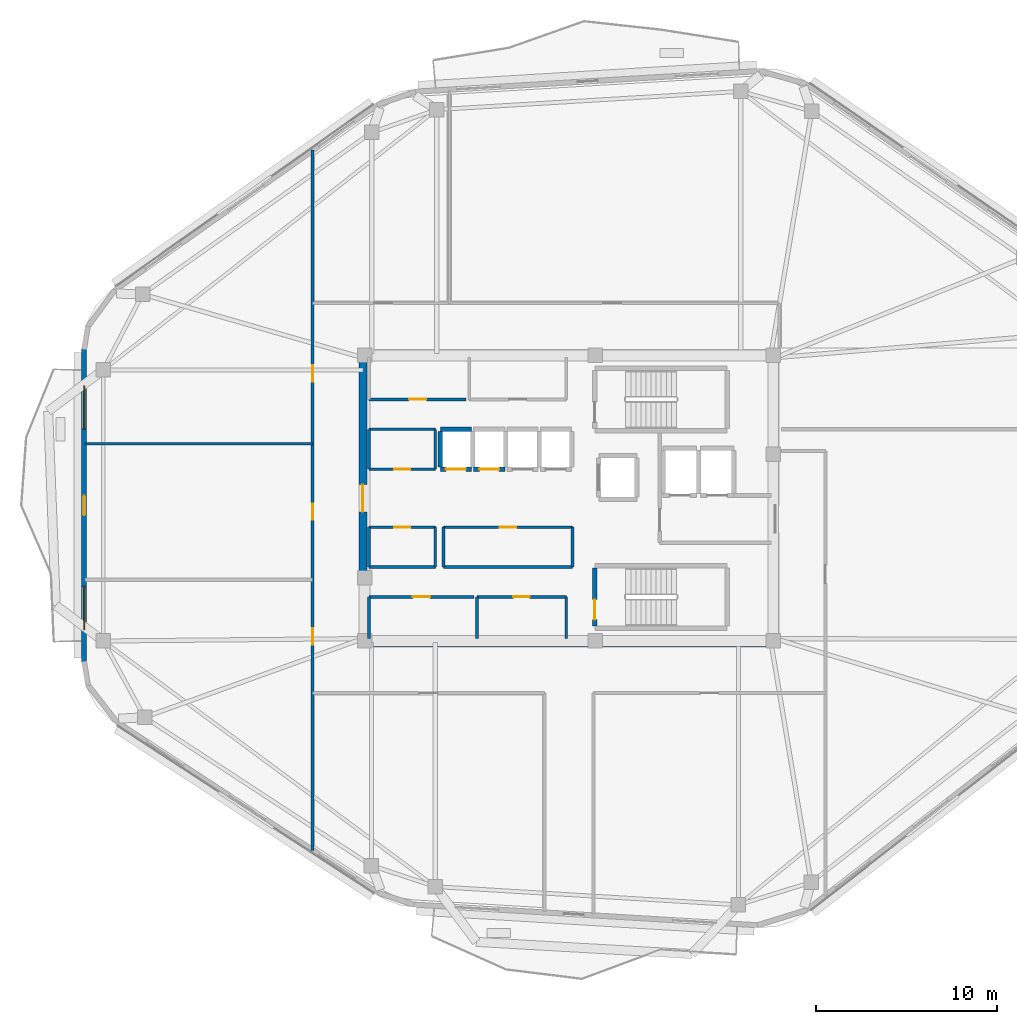
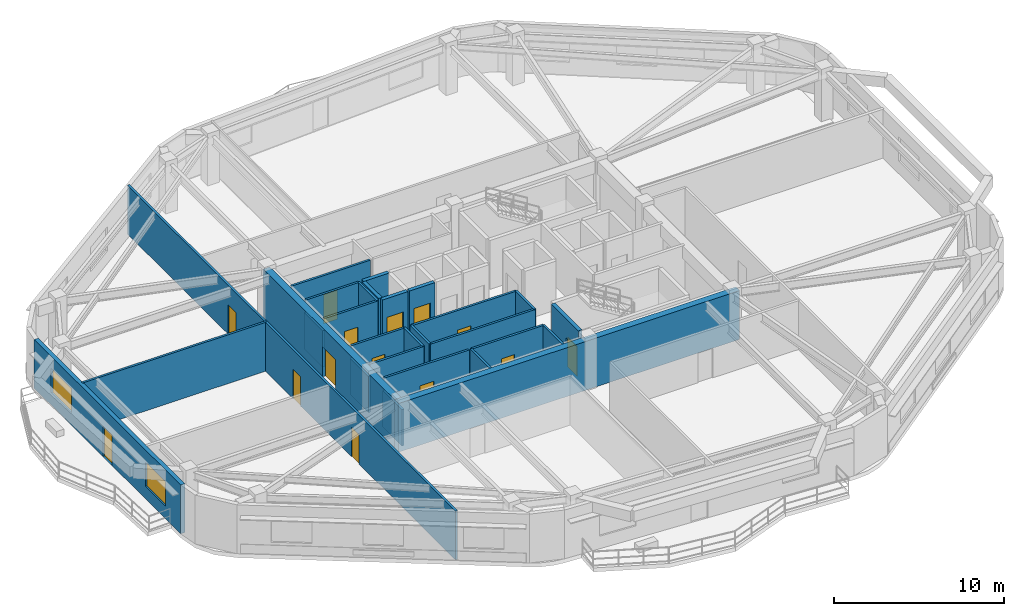
# One storey, part 3 of 9: 28 walls, 14 doors, 2 windows, 16 openings.
"""IFC4 building model written with IfcOpenShell, lengths in metres."""

from ifc_helpers import new_model, si_unit, direction, frame, frame_2d, origin, place, context, subcontext, project, spatial, rectangle, extrude, material, layer, layer_set, type_object, element, fill, save


model = new_model("IFC4")

# Units and contexts
model_context = context("Model", 3, precision=1e-05, world=origin(), true_north=direction((0.0, 1.0)))
body_context = subcontext(model_context, "Body", "Model", "MODEL_VIEW")
ifc_project = project(units=[si_unit("LENGTHUNIT", "METRE"), si_unit("AREAUNIT", "SQUARE_METRE"), si_unit("VOLUMEUNIT", "CUBIC_METRE"), si_unit("PLANEANGLEUNIT", "RADIAN"), si_unit("MASSUNIT", "GRAM", prefix="KILO")], contexts=[model_context])

# Site, building, storey
site_placement = place(None, origin())
site = spatial("IfcSite", under=ifc_project, at=site_placement, CompositionType="ELEMENT")
building_placement = place(site_placement, origin())
building = spatial("IfcBuilding", under=site, at=building_placement, Name="Zulverin Broadcast Headquarters", CompositionType="ELEMENT")
storey_placement = place(building_placement, frame((0.0, 0.0, 259.199951171875)))
storey = spatial("IfcBuildingStorey", under=building, at=storey_placement, Name="L66", CompositionType="ELEMENT", Elevation=259.199951171875)

# Wall
ifc_material_1 = material(Name="Concrete C50/60", Category="concrete")
ifc_layer_1 = layer(ifc_material_1, 0.449951171875, Name="Concrete C50/60", Category="concrete")
ifc_layer_set_1 = layer_set([ifc_layer_1], Name="Concrete C50/60")
wall_type_1 = type_object("IfcWallType", Name="WL-CORE-450", PredefinedType="SHEAR", material=ifc_layer_set_1)
wall_1_placement = place(storey_placement, frame((25.39990234375, 17.22509765625, 0.0), z_axis=(0.0, 0.0, 1.0), x_axis=(1.0, 0.0, 0.0)))
element("IfcWall", 1, at=wall_1_placement, inside=storey, type_object=wall_type_1, Name="L66 Core South Shear Wall", PredefinedType="SHEAR", context=body_context, shape_type="SweptSolid", body=[
    extrude(rectangle(XDim=23.2001953125, YDim=0.449951171875, at=frame_2d((11.60009765625, 0.0))), origin(), (0.0, 0.0, 1.0), 3.510009765625),
])

# Wall, opening, door
wall_2_placement = place(storey_placement, frame((25.625, 17.449951171875, 0.0), z_axis=(0.0, 0.0, 1.0), x_axis=(0.0, 1.0, 0.0)))
wall_2 = element("IfcWall", 2, at=wall_2_placement, inside=storey, type_object=wall_type_1, Name="L66 Core West Shear Wall", PredefinedType="SHEAR", context=body_context, shape_type="SweptSolid", body=[
    extrude(rectangle(XDim=15.5, YDim=0.449951171875, at=frame_2d((7.75, 0.0))), origin(), (0.0, 0.0, 1.0), 3.510009765625),
])
opening_1_placement = place(wall_2_placement, frame((7.0, 0.0, 0.0)))
opening_1 = element("IfcOpeningElement", 3, at=opening_1_placement, cuts=wall_2, Name="Opening D-L66-CW1", PredefinedType="OPENING", context=body_context, shape_type="SweptSolid", body=[
    extrude(rectangle(XDim=1.5, YDim=2.14990234375, at=frame_2d((0.75, 1.074951171875))), frame((0.0, 0.23486328125, 0.0), z_axis=(0.0, -1.0, 0.0), x_axis=(1.0, 0.0, 0.0)), (0.0, 0.0, 1.0), 0.469970703125),
])
ifc_material_2 = material(Name="Fire-rated glazed steel frame", Category="steel")
door_type_1 = type_object("IfcDoorType", Name="DR-COR-1500", OperationType="DOUBLE_DOOR_SINGLE_SWING", PredefinedType="DOOR", material=ifc_material_2)
door_1_placement = place(opening_1_placement, origin())
door_1 = element("IfcDoor", 4, at=door_1_placement, inside=storey, type_object=door_type_1, Name="L66 Central Lift Lobby West Portal Door", OperationType="DOUBLE_DOOR_SINGLE_SWING", OverallHeight=2.14990234375, OverallWidth=1.5, PredefinedType="DOOR", context=body_context, shape_type="SweptSolid", body=[
    extrude(rectangle(XDim=1.5, YDim=2.14990234375, at=frame_2d((0.75, 1.074951171875))), frame((0.0, 0.02490234375, 0.0), z_axis=(0.0, -1.0, 0.0), x_axis=(1.0, 0.0, 0.0)), (0.0, 0.0, 1.0), 0.050048828125),
])
fill(opening_1, door_1)

# Wall, openings, door, windows
ifc_material_3 = material(Name="Insulated pale-metal clad concrete spandrel C40/50", Category="concrete")
ifc_layer_2 = layer(ifc_material_3, 0.280029296875, Name="Insulated pale-metal clad concrete spandrel C40/50", Category="concrete")
ifc_layer_set_2 = layer_set([ifc_layer_2], Name="Insulated pale-metal clad concrete spandrel C40/50")
wall_type_2 = type_object("IfcWallType", Name="WL-EXT-280", PredefinedType="STANDARD", material=ifc_layer_set_2)
wall_3_placement = place(storey_placement, frame((10.239990234375, 33.42529296875, 0.0), z_axis=(0.0, 0.0, 1.0), x_axis=(0.0, -1.0, 0.0)))
wall_3 = element("IfcWall", 5, at=wall_3_placement, inside=storey, type_object=wall_type_2, Name="L66 Pale-Metal Clad Spandrel Wall 7", PredefinedType="STANDARD", context=body_context, shape_type="SweptSolid", body=[
    extrude(rectangle(XDim=17.256591796875, YDim=0.280029296875, at=frame_2d((8.62841796875, 0.0))), origin(), (0.0, 0.0, 1.0), 3.510009765625),
])
opening_2_placement = place(wall_3_placement, frame((8.078369140625, 0.0, 0.0)))
opening_2 = element("IfcOpeningElement", 6, at=opening_2_placement, cuts=wall_3, Name="Opening D-L66-TR7", PredefinedType="OPENING", context=body_context, shape_type="SweptSolid", body=[
    extrude(rectangle(XDim=1.10009765625, YDim=2.199951171875, at=frame_2d((0.550048828125, 1.10009765625))), frame((0.0, 0.14990234375, 0.0), z_axis=(0.0, -1.0, 0.0), x_axis=(1.0, 0.0, 0.0)), (0.0, 0.0, 1.0), 0.300048828125),
])
opening_3_placement = place(wall_3_placement, frame((2.009521484375, 0.0, 0.89990234375)))
opening_3 = element("IfcOpeningElement", 7, at=opening_3_placement, cuts=wall_3, Name="Opening W-L66-E71", PredefinedType="OPENING", context=body_context, shape_type="SweptSolid", body=[
    extrude(rectangle(XDim=2.39990234375, YDim=1.75, at=frame_2d((1.199951171875, 0.875))), frame((0.0, 0.14990234375, 0.0), z_axis=(0.0, -1.0, 0.0), x_axis=(1.0, 0.0, 0.0)), (0.0, 0.0, 1.0), 0.300048828125),
])
opening_4_placement = place(wall_3_placement, frame((13.09716796875, 0.0, 0.89990234375)))
opening_4 = element("IfcOpeningElement", 8, at=opening_4_placement, cuts=wall_3, Name="Opening W-L66-E72", PredefinedType="OPENING", context=body_context, shape_type="SweptSolid", body=[
    extrude(rectangle(XDim=2.39990234375, YDim=1.75, at=frame_2d((1.199951171875, 0.875))), frame((0.0, 0.14990234375, 0.0), z_axis=(0.0, -1.0, 0.0), x_axis=(1.0, 0.0, 0.0)), (0.0, 0.0, 1.0), 0.300048828125),
])
ifc_material_4 = material(Name="Thermally broken aluminium glazed", Category="aluminium")
door_type_2 = type_object("IfcDoorType", Name="DR-TERR-1100", OperationType="SINGLE_SWING_RIGHT", PredefinedType="DOOR", material=ifc_material_4)
door_2_placement = place(opening_2_placement, origin())
door_2 = element("IfcDoor", 9, at=door_2_placement, inside=storey, type_object=door_type_2, Name="L66 Planted Terrace Glazed Access Door 7", OperationType="SINGLE_SWING_RIGHT", OverallHeight=2.199951171875, OverallWidth=1.10009765625, PredefinedType="DOOR", context=body_context, shape_type="SweptSolid", body=[
    extrude(rectangle(XDim=1.10009765625, YDim=2.199951171875, at=frame_2d((0.550048828125, 1.10009765625))), frame((0.0, 0.02490234375, 0.0), z_axis=(0.0, -1.0, 0.0), x_axis=(1.0, 0.0, 0.0)), (0.0, 0.0, 1.0), 0.050048828125),
])
fill(opening_2, door_2)
ifc_material_5 = material(Name="Pale anodized aluminium frame with solar-control low-E double glazing", Category="aluminium")
window_type = type_object("IfcWindowType", Name="WIN-RIB-2400", PartitioningType="SINGLE_PANEL", PredefinedType="WINDOW", material=ifc_material_5)
window_1_placement = place(opening_3_placement, origin())
window_1 = element("IfcWindow", 10, at=window_1_placement, inside=storey, type_object=window_type, Name="L66 Ribbon Glazing Window 7 1", OverallHeight=1.75, OverallWidth=2.39990234375, PartitioningType="SINGLE_PANEL", PredefinedType="WINDOW", context=body_context, shape_type="SweptSolid", body=[
    extrude(rectangle(XDim=2.39990234375, YDim=1.75, at=frame_2d((1.199951171875, 0.875))), frame((0.0, 0.030029296875, 0.0), z_axis=(0.0, -1.0, 0.0), x_axis=(1.0, 0.0, 0.0)), (0.0, 0.0, 1.0), 0.06005859375),
])
fill(opening_3, window_1)
window_2_placement = place(opening_4_placement, origin())
window_2 = element("IfcWindow", 11, at=window_2_placement, inside=storey, type_object=window_type, Name="L66 Ribbon Glazing Window 7 2", OverallHeight=1.75, OverallWidth=2.39990234375, PartitioningType="SINGLE_PANEL", PredefinedType="WINDOW", context=body_context, shape_type="SweptSolid", body=[
    extrude(rectangle(XDim=2.39990234375, YDim=1.75, at=frame_2d((1.199951171875, 0.875))), frame((0.0, 0.030029296875, 0.0), z_axis=(0.0, -1.0, 0.0), x_axis=(1.0, 0.0, 0.0)), (0.0, 0.0, 1.0), 0.06005859375),
])
fill(opening_4, window_2)

# Wall, opening, door
ifc_material_6 = material(Name="Fire-rated gypsum stud partition", Category="gypsum")
ifc_layer_3 = layer(ifc_material_6, 0.14990234375, Name="Fire-rated gypsum stud partition", Category="gypsum")
ifc_layer_set_3 = layer_set([ifc_layer_3], Name="Fire-rated gypsum stud partition")
wall_type_3 = type_object("IfcWallType", Name="WL-PART-150", PredefinedType="PARTITIONING", material=ifc_layer_set_3)
wall_4_placement = place(storey_placement, frame((25.969970703125, 30.64990234375, 0.0), z_axis=(0.0, 0.0, 1.0), x_axis=(1.0, 0.0, 0.0)))
wall_4 = element("IfcWall", 12, at=wall_4_placement, inside=storey, type_object=wall_type_3, Name="L66 Core Male WC Front Wall", PredefinedType="PARTITIONING", context=body_context, shape_type="SweptSolid", body=[
    extrude(rectangle(XDim=5.360107421875, YDim=0.14990234375, at=frame_2d((2.68017578125, 0.0))), origin(), (0.0, 0.0, 1.0), 3.510009765625),
])
opening_5_placement = place(wall_4_placement, frame((2.205078125, 0.0, 0.0)))
opening_5 = element("IfcOpeningElement", 13, at=opening_5_placement, cuts=wall_4, Name="Opening D-L66-NC1", PredefinedType="OPENING", context=body_context, shape_type="SweptSolid", body=[
    extrude(rectangle(XDim=0.949951171875, YDim=2.10009765625, at=frame_2d((0.47509765625, 1.050048828125))), frame((0.0, 0.0849609375, 0.0), z_axis=(0.0, -1.0, 0.0), x_axis=(1.0, 0.0, 0.0)), (0.0, 0.0, 1.0), 0.169921875),
])
ifc_material_7 = material(Name="Fire-rated moisture-resistant laminate leaf", Category="wood")
door_type_3 = type_object("IfcDoorType", Name="DR-WC-950", OperationType="SINGLE_SWING_LEFT", PredefinedType="DOOR", material=ifc_material_7)
door_3_placement = place(opening_5_placement, origin())
door_3 = element("IfcDoor", 14, at=door_3_placement, inside=storey, type_object=door_type_3, Name="L66 Male WC Door", OperationType="SINGLE_SWING_LEFT", OverallHeight=2.10009765625, OverallWidth=0.949951171875, PredefinedType="DOOR", context=body_context, shape_type="SweptSolid", body=[
    extrude(rectangle(XDim=0.949951171875, YDim=2.10009765625, at=frame_2d((0.47509765625, 1.050048828125))), frame((0.0, 0.02490234375, 0.0), z_axis=(0.0, -1.0, 0.0), x_axis=(1.0, 0.0, 0.0)), (0.0, 0.0, 1.0), 0.050048828125),
])
fill(opening_5, door_3)

wall_5_placement = place(storey_placement, frame((25.969970703125, 19.75, 0.0), z_axis=(0.0, 0.0, 1.0), x_axis=(1.0, 0.0, 0.0)))
wall_5 = element("IfcWall", 15, at=wall_5_placement, inside=storey, type_object=wall_type_3, Name="L66 Core Female WC Front Wall", PredefinedType="PARTITIONING", context=body_context, shape_type="SweptSolid", body=[
    extrude(rectangle(XDim=5.7900390625, YDim=0.14990234375, at=frame_2d((2.89501953125, 0.0))), origin(), (0.0, 0.0, 1.0), 3.510009765625),
])
opening_6_placement = place(wall_5_placement, frame((2.419921875, 0.0, 0.0)))
opening_6 = element("IfcOpeningElement", 16, at=opening_6_placement, cuts=wall_5, Name="Opening D-L66-SC1", PredefinedType="OPENING", context=body_context, shape_type="SweptSolid", body=[
    extrude(rectangle(XDim=0.949951171875, YDim=2.10009765625, at=frame_2d((0.47509765625, 1.050048828125))), frame((0.0, 0.0849609375, 0.0), z_axis=(0.0, -1.0, 0.0), x_axis=(1.0, 0.0, 0.0)), (0.0, 0.0, 1.0), 0.169921875),
])
door_4_placement = place(opening_6_placement, origin())
door_4 = element("IfcDoor", 17, at=door_4_placement, inside=storey, type_object=door_type_3, Name="L66 Female WC Door", OperationType="SINGLE_SWING_LEFT", OverallHeight=2.10009765625, OverallWidth=0.949951171875, PredefinedType="DOOR", context=body_context, shape_type="SweptSolid", body=[
    extrude(rectangle(XDim=0.949951171875, YDim=2.10009765625, at=frame_2d((0.47509765625, 1.050048828125))), frame((0.0, 0.02490234375, 0.0), z_axis=(0.0, -1.0, 0.0), x_axis=(1.0, 0.0, 0.0)), (0.0, 0.0, 1.0), 0.050048828125),
])
fill(opening_6, door_4)

# Wall
wall_6_placement = place(storey_placement, frame((25.969970703125, 17.449951171875, 0.0), z_axis=(0.0, 0.0, 1.0), x_axis=(0.0, 1.0, 0.0)))
element("IfcWall", 18, at=wall_6_placement, inside=storey, type_object=wall_type_3, Name="L66 Core Female WC West Wall", PredefinedType="PARTITIONING", context=body_context, shape_type="SweptSolid", body=[
    extrude(rectangle(XDim=2.300048828125, YDim=0.14990234375, at=frame_2d((1.14990234375, 0.0))), origin(), (0.0, 0.0, 1.0), 2.610107421875),
])

# Wall, opening, door
wall_7_placement = place(storey_placement, frame((31.919921875, 19.75, 0.0), z_axis=(0.0, 0.0, 1.0), x_axis=(1.0, 0.0, 0.0)))
wall_7 = element("IfcWall", 19, at=wall_7_placement, inside=storey, type_object=wall_type_3, Name="L66 Core Cleaner Store & Telecoms Riser Front Wall", PredefinedType="PARTITIONING", context=body_context, shape_type="SweptSolid", body=[
    extrude(rectangle(XDim=4.93017578125, YDim=0.14990234375, at=frame_2d((2.465087890625, 0.0))), origin(), (0.0, 0.0, 1.0), 3.510009765625),
])
opening_7_placement = place(wall_7_placement, frame((2.014892578125, 0.0, 0.0)))
opening_7 = element("IfcOpeningElement", 20, at=opening_7_placement, cuts=wall_7, Name="Opening D-L66-SC2", PredefinedType="OPENING", context=body_context, shape_type="SweptSolid", body=[
    extrude(rectangle(XDim=0.89990234375, YDim=2.10009765625, at=frame_2d((0.449951171875, 1.050048828125))), frame((0.0, 0.0849609375, 0.0), z_axis=(0.0, -1.0, 0.0), x_axis=(1.0, 0.0, 0.0)), (0.0, 0.0, 1.0), 0.169921875),
])
ifc_material_8 = material(Name="Powder-coated steel access leaf", Category="steel")
door_type_4 = type_object("IfcDoorType", Name="DR-RISER-900", OperationType="SINGLE_SWING_LEFT", PredefinedType="DOOR", material=ifc_material_8)
door_5_placement = place(opening_7_placement, origin())
door_5 = element("IfcDoor", 21, at=door_5_placement, inside=storey, type_object=door_type_4, Name="L66 Cleaner Store & Telecoms Riser Door", OperationType="SINGLE_SWING_RIGHT", OverallHeight=2.10009765625, OverallWidth=0.89990234375, PredefinedType="DOOR", context=body_context, shape_type="SweptSolid", body=[
    extrude(rectangle(XDim=0.89990234375, YDim=2.10009765625, at=frame_2d((0.449951171875, 1.050048828125))), frame((0.0, 0.02490234375, 0.0), z_axis=(0.0, -1.0, 0.0), x_axis=(1.0, 0.0, 0.0)), (0.0, 0.0, 1.0), 0.050048828125),
])
fill(opening_7, door_5)

# Walls
for number, where, z_axis, x_axis, name in (
    (22, (31.919921875, 17.449951171875, 0.0), (0.0, 0.0, 1.0), (0.0, 1.0, 0.0), "L66 Core Cleaner Store & Telecoms Riser West Wall"),
    (23, (36.85009765625, 17.449951171875, 0.0), (0.0, 0.0, 1.0), (0.0, 1.0, 0.0), "L66 Core Cleaner Store & Telecoms Riser East Wall"),
):
    element("IfcWall", number, at=place(storey_placement, frame(where, z_axis=z_axis, x_axis=x_axis)), inside=storey, type_object=wall_type_3, Name=name, PredefinedType="PARTITIONING", context=body_context, shape_type="SweptSolid", body=[
        extrude(rectangle(XDim=2.300048828125, YDim=0.14990234375, at=frame_2d((1.14990234375, 0.0))), origin(), (0.0, 0.0, 1.0), 3.510009765625),
    ])

# Wall, opening, door
wall_8_placement = place(storey_placement, frame((25.969970703125, 26.800048828125, 0.0), z_axis=(0.0, 0.0, 1.0), x_axis=(1.0, 0.0, 0.0)))
wall_8 = element("IfcWall", 24, at=wall_8_placement, inside=storey, type_object=wall_type_3, Name="L66 Broadcast Signal Patch Room S Wall", PredefinedType="PARTITIONING", context=body_context, shape_type="SweptSolid", body=[
    extrude(rectangle(XDim=3.650146484375, YDim=0.14990234375, at=frame_2d((1.8251953125, 0.0))), origin(), (0.0, 0.0, 1.0), 3.510009765625),
])
opening_8_placement = place(wall_8_placement, frame((1.375, 0.0, 0.0)))
opening_8 = element("IfcOpeningElement", 25, at=opening_8_placement, cuts=wall_8, Name="Opening D-L66-RCLN", PredefinedType="OPENING", context=body_context, shape_type="SweptSolid", body=[
    extrude(rectangle(XDim=0.89990234375, YDim=2.10009765625, at=frame_2d((0.449951171875, 1.050048828125))), frame((0.0, 0.0849609375, 0.0), z_axis=(0.0, -1.0, 0.0), x_axis=(1.0, 0.0, 0.0)), (0.0, 0.0, 1.0), 0.169921875),
])
door_6_placement = place(opening_8_placement, origin())
door_6 = element("IfcDoor", 26, at=door_6_placement, inside=storey, type_object=door_type_4, Name="L66 Broadcast Signal Patch Room Door", OperationType="SINGLE_SWING_LEFT", OverallHeight=2.10009765625, OverallWidth=0.89990234375, PredefinedType="DOOR", context=body_context, shape_type="SweptSolid", body=[
    extrude(rectangle(XDim=0.89990234375, YDim=2.10009765625, at=frame_2d((0.449951171875, 1.050048828125))), frame((0.0, 0.02490234375, 0.0), z_axis=(0.0, -1.0, 0.0), x_axis=(1.0, 0.0, 0.0)), (0.0, 0.0, 1.0), 0.050048828125),
])
fill(opening_8, door_6)

# Walls
wall_9_placement = place(storey_placement, frame((25.969970703125, 29.0, 0.0), z_axis=(0.0, 0.0, 1.0), x_axis=(1.0, 0.0, 0.0)))
element("IfcWall", 27, at=wall_9_placement, inside=storey, type_object=wall_type_3, Name="L66 Broadcast Signal Patch Room N Wall", PredefinedType="PARTITIONING", context=body_context, shape_type="SweptSolid", body=[
    extrude(rectangle(XDim=3.650146484375, YDim=0.14990234375, at=frame_2d((1.8251953125, 0.0))), origin(), (0.0, 0.0, 1.0), 3.510009765625),
])
wall_10_placement = place(storey_placement, frame((25.969970703125, 26.800048828125, 0.0), z_axis=(0.0, 0.0, 1.0), x_axis=(0.0, 1.0, 0.0)))
element("IfcWall", 28, at=wall_10_placement, inside=storey, type_object=wall_type_3, Name="L66 Broadcast Signal Patch Room W Wall", PredefinedType="PARTITIONING", context=body_context, shape_type="SweptSolid", body=[
    extrude(rectangle(XDim=2.199951171875, YDim=0.14990234375, at=frame_2d((1.10009765625, 0.0))), origin(), (0.0, 0.0, 1.0), 2.610107421875),
])
wall_11_placement = place(storey_placement, frame((29.6201171875, 26.800048828125, 0.0), z_axis=(0.0, 0.0, 1.0), x_axis=(0.0, 1.0, 0.0)))
element("IfcWall", 29, at=wall_11_placement, inside=storey, type_object=wall_type_3, Name="L66 Broadcast Signal Patch Room E Wall", PredefinedType="PARTITIONING", context=body_context, shape_type="SweptSolid", body=[
    extrude(rectangle(XDim=2.199951171875, YDim=0.14990234375, at=frame_2d((1.10009765625, 0.0))), origin(), (0.0, 0.0, 1.0), 3.510009765625),
])
wall_12_placement = place(storey_placement, frame((25.969970703125, 21.39990234375, 0.0), z_axis=(0.0, 0.0, 1.0), x_axis=(1.0, 0.0, 0.0)))
element("IfcWall", 30, at=wall_12_placement, inside=storey, type_object=wall_type_3, Name="L66 Media Ingestion Server Room S Wall", PredefinedType="PARTITIONING", context=body_context, shape_type="SweptSolid", body=[
    extrude(rectangle(XDim=3.650146484375, YDim=0.14990234375, at=frame_2d((1.8251953125, 0.0))), origin(), (0.0, 0.0, 1.0), 3.510009765625),
])

# Wall, opening, door
wall_13_placement = place(storey_placement, frame((25.969970703125, 23.60009765625, 0.0), z_axis=(0.0, 0.0, 1.0), x_axis=(1.0, 0.0, 0.0)))
wall_13 = element("IfcWall", 31, at=wall_13_placement, inside=storey, type_object=wall_type_3, Name="L66 Media Ingestion Server Room N Wall", PredefinedType="PARTITIONING", context=body_context, shape_type="SweptSolid", body=[
    extrude(rectangle(XDim=3.650146484375, YDim=0.14990234375, at=frame_2d((1.8251953125, 0.0))), origin(), (0.0, 0.0, 1.0), 3.510009765625),
])
opening_9_placement = place(wall_13_placement, frame((1.375, 0.0, 0.0)))
opening_9 = element("IfcOpeningElement", 32, at=opening_9_placement, cuts=wall_13, Name="Opening D-L66-RCLS", PredefinedType="OPENING", context=body_context, shape_type="SweptSolid", body=[
    extrude(rectangle(XDim=0.89990234375, YDim=2.10009765625, at=frame_2d((0.449951171875, 1.050048828125))), frame((0.0, 0.0849609375, 0.0), z_axis=(0.0, -1.0, 0.0), x_axis=(1.0, 0.0, 0.0)), (0.0, 0.0, 1.0), 0.169921875),
])
door_7_placement = place(opening_9_placement, origin())
door_7 = element("IfcDoor", 33, at=door_7_placement, inside=storey, type_object=door_type_4, Name="L66 Media Ingestion Server Room Door", OperationType="SINGLE_SWING_RIGHT", OverallHeight=2.10009765625, OverallWidth=0.89990234375, PredefinedType="DOOR", context=body_context, shape_type="SweptSolid", body=[
    extrude(rectangle(XDim=0.89990234375, YDim=2.10009765625, at=frame_2d((0.449951171875, 1.050048828125))), frame((0.0, 0.02490234375, 0.0), z_axis=(0.0, -1.0, 0.0), x_axis=(1.0, 0.0, 0.0)), (0.0, 0.0, 1.0), 0.050048828125),
])
fill(opening_9, door_7)

# Walls
wall_14_placement = place(storey_placement, frame((25.969970703125, 21.39990234375, 0.0), z_axis=(0.0, 0.0, 1.0), x_axis=(0.0, 1.0, 0.0)))
element("IfcWall", 34, at=wall_14_placement, inside=storey, type_object=wall_type_3, Name="L66 Media Ingestion Server Room W Wall", PredefinedType="PARTITIONING", context=body_context, shape_type="SweptSolid", body=[
    extrude(rectangle(XDim=2.2001953125, YDim=0.14990234375, at=frame_2d((1.10009765625, 0.0))), origin(), (0.0, 0.0, 1.0), 2.610107421875),
])
wall_15_placement = place(storey_placement, frame((29.6201171875, 21.39990234375, 0.0), z_axis=(0.0, 0.0, 1.0), x_axis=(0.0, 1.0, 0.0)))
element("IfcWall", 35, at=wall_15_placement, inside=storey, type_object=wall_type_3, Name="L66 Media Ingestion Server Room E Wall", PredefinedType="PARTITIONING", context=body_context, shape_type="SweptSolid", body=[
    extrude(rectangle(XDim=2.2001953125, YDim=0.14990234375, at=frame_2d((1.10009765625, 0.0))), origin(), (0.0, 0.0, 1.0), 3.510009765625),
])
wall_16_placement = place(storey_placement, frame((30.080078125, 21.39990234375, 0.0), z_axis=(0.0, 0.0, 1.0), x_axis=(1.0, 0.0, 0.0)))
element("IfcWall", 36, at=wall_16_placement, inside=storey, type_object=wall_type_3, Name="L66 Optical Telemetry Hub Room S Wall", PredefinedType="PARTITIONING", context=body_context, shape_type="SweptSolid", body=[
    extrude(rectangle(XDim=7.119873046875, YDim=0.14990234375, at=frame_2d((3.56005859375, 0.0))), origin(), (0.0, 0.0, 1.0), 3.510009765625),
])

# Wall, opening, door
wall_17_placement = place(storey_placement, frame((30.080078125, 23.60009765625, 0.0), z_axis=(0.0, 0.0, 1.0), x_axis=(1.0, 0.0, 0.0)))
wall_17 = element("IfcWall", 37, at=wall_17_placement, inside=storey, type_object=wall_type_3, Name="L66 Optical Telemetry Hub Room N Wall", PredefinedType="PARTITIONING", context=body_context, shape_type="SweptSolid", body=[
    extrude(rectangle(XDim=7.119873046875, YDim=0.14990234375, at=frame_2d((3.56005859375, 0.0))), origin(), (0.0, 0.0, 1.0), 3.510009765625),
])
opening_10_placement = place(wall_17_placement, frame((3.110107421875, 0.0, 0.0)))
opening_10 = element("IfcOpeningElement", 38, at=opening_10_placement, cuts=wall_17, Name="Opening D-L66-RM1", PredefinedType="OPENING", context=body_context, shape_type="SweptSolid", body=[
    extrude(rectangle(XDim=0.89990234375, YDim=2.10009765625, at=frame_2d((0.449951171875, 1.050048828125))), frame((0.0, 0.0849609375, 0.0), z_axis=(0.0, -1.0, 0.0), x_axis=(1.0, 0.0, 0.0)), (0.0, 0.0, 1.0), 0.169921875),
])
door_8_placement = place(opening_10_placement, origin())
door_8 = element("IfcDoor", 39, at=door_8_placement, inside=storey, type_object=door_type_4, Name="L66 Optical Telemetry Hub Room Door", OperationType="SINGLE_SWING_LEFT", OverallHeight=2.10009765625, OverallWidth=0.89990234375, PredefinedType="DOOR", context=body_context, shape_type="SweptSolid", body=[
    extrude(rectangle(XDim=0.89990234375, YDim=2.10009765625, at=frame_2d((0.449951171875, 1.050048828125))), frame((0.0, 0.02490234375, 0.0), z_axis=(0.0, -1.0, 0.0), x_axis=(1.0, 0.0, 0.0)), (0.0, 0.0, 1.0), 0.050048828125),
])
fill(opening_10, door_8)

# Walls
for number, where, z_axis, x_axis, name in (
    (40, (30.080078125, 21.39990234375, 0.0), (0.0, 0.0, 1.0), (0.0, 1.0, 0.0), "L66 Optical Telemetry Hub Room W Wall"),
    (41, (37.199951171875, 21.39990234375, 0.0), (0.0, 0.0, 1.0), (0.0, 1.0, 0.0), "L66 Optical Telemetry Hub Room E Wall"),
):
    element("IfcWall", number, at=place(storey_placement, frame(where, z_axis=z_axis, x_axis=x_axis)), inside=storey, type_object=wall_type_3, Name=name, PredefinedType="PARTITIONING", context=body_context, shape_type="SweptSolid", body=[
        extrude(rectangle(XDim=2.2001953125, YDim=0.14990234375, at=frame_2d((1.10009765625, 0.0))), origin(), (0.0, 0.0, 1.0), 3.510009765625),
    ])

# Wall, openings, doors
wall_18_placement = place(storey_placement, frame((22.85009765625, 5.75830078125, 0.0), z_axis=(0.0, 0.0, 1.0), x_axis=(0.0, 1.0, 0.0)))
wall_18 = element("IfcWall", 42, at=wall_18_placement, inside=storey, type_object=wall_type_3, Name="L66 Gallery Partition Wall CG-06", PredefinedType="PARTITIONING", context=body_context, shape_type="SweptSolid", body=[
    extrude(rectangle(XDim=38.64990234375, YDim=0.14990234375, at=frame_2d((19.324951171875, 0.0))), origin(), (0.0, 0.0, 1.0), 3.510009765625),
])
opening_11_placement = place(wall_18_placement, frame((11.36669921875, 0.0, 0.0)))
opening_11 = element("IfcOpeningElement", 43, at=opening_11_placement, cuts=wall_18, Name="Opening D-L66-05", PredefinedType="OPENING", context=body_context, shape_type="SweptSolid", body=[
    extrude(rectangle(XDim=0.89990234375, YDim=2.10009765625, at=frame_2d((0.449951171875, 1.050048828125))), frame((0.0, 0.0849609375, 0.0), z_axis=(0.0, -1.0, 0.0), x_axis=(1.0, 0.0, 0.0)), (0.0, 0.0, 1.0), 0.169921875),
])
opening_12_placement = place(wall_18_placement, frame((18.24169921875, 0.0, 0.0)))
opening_12 = element("IfcOpeningElement", 44, at=opening_12_placement, cuts=wall_18, Name="Opening D-L66-06", PredefinedType="OPENING", context=body_context, shape_type="SweptSolid", body=[
    extrude(rectangle(XDim=0.89990234375, YDim=2.10009765625, at=frame_2d((0.449951171875, 1.050048828125))), frame((0.0, 0.0849609375, 0.0), z_axis=(0.0, -1.0, 0.0), x_axis=(1.0, 0.0, 0.0)), (0.0, 0.0, 1.0), 0.169921875),
])
opening_13_placement = place(wall_18_placement, frame((25.86669921875, 0.0, 0.0)))
opening_13 = element("IfcOpeningElement", 45, at=opening_13_placement, cuts=wall_18, Name="Opening D-L66-07", PredefinedType="OPENING", context=body_context, shape_type="SweptSolid", body=[
    extrude(rectangle(XDim=0.89990234375, YDim=2.10009765625, at=frame_2d((0.449951171875, 1.050048828125))), frame((0.0, 0.0849609375, 0.0), z_axis=(0.0, -1.0, 0.0), x_axis=(1.0, 0.0, 0.0)), (0.0, 0.0, 1.0), 0.169921875),
])
ifc_material_9 = material(Name="Fire-rated hardwood veneer timber leaf", Category="wood")
door_type_5 = type_object("IfcDoorType", Name="DR-ROOM-900", OperationType="SINGLE_SWING_RIGHT", PredefinedType="DOOR", material=ifc_material_9)
door_9_placement = place(opening_11_placement, origin())
door_9 = element("IfcDoor", 46, at=door_9_placement, inside=storey, type_object=door_type_5, Name="L66 Executive Boardroom Door", OperationType="SINGLE_SWING_RIGHT", OverallHeight=2.10009765625, OverallWidth=0.89990234375, PredefinedType="DOOR", context=body_context, shape_type="SweptSolid", body=[
    extrude(rectangle(XDim=0.89990234375, YDim=2.10009765625, at=frame_2d((0.449951171875, 1.050048828125))), frame((0.0, 0.02490234375, 0.0), z_axis=(0.0, -1.0, 0.0), x_axis=(1.0, 0.0, 0.0)), (0.0, 0.0, 1.0), 0.050048828125),
])
fill(opening_11, door_9)
door_10_placement = place(opening_12_placement, origin())
door_10 = element("IfcDoor", 47, at=door_10_placement, inside=storey, type_object=door_type_5, Name="L66 Briefing Room Door", OperationType="SINGLE_SWING_LEFT", OverallHeight=2.10009765625, OverallWidth=0.89990234375, PredefinedType="DOOR", context=body_context, shape_type="SweptSolid", body=[
    extrude(rectangle(XDim=0.89990234375, YDim=2.10009765625, at=frame_2d((0.449951171875, 1.050048828125))), frame((0.0, 0.02490234375, 0.0), z_axis=(0.0, -1.0, 0.0), x_axis=(1.0, 0.0, 0.0)), (0.0, 0.0, 1.0), 0.050048828125),
])
fill(opening_12, door_10)
door_11_placement = place(opening_13_placement, origin())
door_11 = element("IfcDoor", 48, at=door_11_placement, inside=storey, type_object=door_type_5, Name="L66 Tea Pantry Door", OperationType="SINGLE_SWING_RIGHT", OverallHeight=2.10009765625, OverallWidth=0.89990234375, PredefinedType="DOOR", context=body_context, shape_type="SweptSolid", body=[
    extrude(rectangle(XDim=0.89990234375, YDim=2.10009765625, at=frame_2d((0.449951171875, 1.050048828125))), frame((0.0, 0.02490234375, 0.0), z_axis=(0.0, -1.0, 0.0), x_axis=(1.0, 0.0, 0.0)), (0.0, 0.0, 1.0), 0.050048828125),
])
fill(opening_13, door_11)

# Wall
wall_19_placement = place(storey_placement, frame((10.304931640625, 28.199951171875, 0.0), z_axis=(0.0, 0.0, 1.0), x_axis=(1.0, 0.0, 0.0)))
element("IfcWall", 49, at=wall_19_placement, inside=storey, type_object=wall_type_3, Name="L66 Room Partition Wall RP-11", PredefinedType="PARTITIONING", context=body_context, shape_type="SweptSolid", body=[
    extrude(rectangle(XDim=12.545166015625, YDim=0.14990234375, at=frame_2d((6.2724609375, 0.0))), origin(), (0.0, 0.0, 1.0), 3.510009765625),
])

# Wall, opening, door
ifc_layer_4 = layer(ifc_material_1, 0.25, Name="Concrete C50/60", Category="concrete")
ifc_layer_set_4 = layer_set([ifc_layer_4], Name="Concrete C50/60")
wall_type_4 = type_object("IfcWallType", Name="WL-SHAFT-250", PredefinedType="SHEAR", material=ifc_layer_set_4)
wall_20_placement = place(storey_placement, frame((38.425048828125, 18.14990234375, 0.0), z_axis=(0.0, 0.0, 1.0), x_axis=(0.0, 1.0, 0.0)))
wall_20 = element("IfcWall", 50, at=wall_20_placement, inside=storey, type_object=wall_type_4, Name="L66 ST-2 Enclosure Wall W", PredefinedType="SHEAR", context=body_context, shape_type="SweptSolid", body=[
    extrude(rectangle(XDim=3.2001953125, YDim=0.25, at=frame_2d((1.60009765625, 0.0))), origin(), (0.0, 0.0, 1.0), 3.510009765625),
])
opening_14_placement = place(wall_20_placement, frame((0.35009765625, 0.0, 0.0)))
opening_14 = element("IfcOpeningElement", 51, at=opening_14_placement, cuts=wall_20, Name="Opening D-L66-ST-2", PredefinedType="OPENING", context=body_context, shape_type="SweptSolid", body=[
    extrude(rectangle(XDim=1.10009765625, YDim=2.14990234375, at=frame_2d((0.550048828125, 1.074951171875))), frame((0.0, 0.135009765625, 0.0), z_axis=(0.0, -1.0, 0.0), x_axis=(1.0, 0.0, 0.0)), (0.0, 0.0, 1.0), 0.27001953125),
])
ifc_material_10 = material(Name="Fire-rated steel leaf and frame", Category="steel")
door_type_6 = type_object("IfcDoorType", Name="DR-STAIR-1100", OperationType="SINGLE_SWING_LEFT", PredefinedType="DOOR", material=ifc_material_10)
door_12_placement = place(opening_14_placement, origin())
door_12 = element("IfcDoor", 52, at=door_12_placement, inside=storey, type_object=door_type_6, Name="L66 Exit Stair ST-2 Fire Door", OperationType="SINGLE_SWING_RIGHT", OverallHeight=2.14990234375, OverallWidth=1.10009765625, PredefinedType="DOOR", context=body_context, shape_type="SweptSolid", body=[
    extrude(rectangle(XDim=1.10009765625, YDim=2.14990234375, at=frame_2d((0.550048828125, 1.074951171875))), frame((0.0, 0.02490234375, 0.0), z_axis=(0.0, -1.0, 0.0), x_axis=(1.0, 0.0, 0.0)), (0.0, 0.0, 1.0), 0.050048828125),
])
fill(opening_14, door_12)

wall_21_placement = place(storey_placement, frame((29.89990234375, 26.800048828125, 0.0), z_axis=(0.0, 0.0, 1.0), x_axis=(1.0, 0.0, 0.0)))
wall_21 = element("IfcWall", 53, at=wall_21_placement, inside=storey, type_object=wall_type_4, Name="L66 Lift PL-H1 Shaft Wall S", PredefinedType="SHEAR", context=body_context, shape_type="SweptSolid", body=[
    extrude(rectangle(XDim=1.72021484375, YDim=0.25, at=frame_2d((0.860107421875, 0.0))), origin(), (0.0, 0.0, 1.0), 3.510009765625),
])
opening_15_placement = place(wall_21_placement, frame((0.31005859375, 0.0, 0.0)))
opening_15 = element("IfcOpeningElement", 54, at=opening_15_placement, cuts=wall_21, Name="Opening LD-PL-H1-L66", PredefinedType="OPENING", context=body_context, shape_type="SweptSolid", body=[
    extrude(rectangle(XDim=1.10009765625, YDim=2.14990234375, at=frame_2d((0.550048828125, 1.074951171875))), frame((0.0, 0.135009765625, 0.0), z_axis=(0.0, -1.0, 0.0), x_axis=(1.0, 0.0, 0.0)), (0.0, 0.0, 1.0), 0.27001953125),
])
ifc_material_11 = material(Name="Brushed stainless steel landing", Category="steel")
door_type_7 = type_object("IfcDoorType", Name="LD-PASS-1100", OperationType="DOUBLE_DOOR_SLIDING", PredefinedType="DOOR", material=ifc_material_11)
door_13_placement = place(opening_15_placement, origin())
door_13 = element("IfcDoor", 55, at=door_13_placement, inside=storey, type_object=door_type_7, Name="L66 Lift PL-H1 Sliding Landing Door", OperationType="DOUBLE_DOOR_SLIDING", OverallHeight=2.14990234375, OverallWidth=1.10009765625, PredefinedType="DOOR", context=body_context, shape_type="SweptSolid", body=[
    extrude(rectangle(XDim=1.10009765625, YDim=2.14990234375, at=frame_2d((0.550048828125, 1.074951171875))), frame((0.0, 0.02490234375, 0.0), z_axis=(0.0, -1.0, 0.0), x_axis=(1.0, 0.0, 0.0)), (0.0, 0.0, 1.0), 0.050048828125),
])
fill(opening_15, door_13)

# Walls
wall_22_placement = place(storey_placement, frame((29.89990234375, 29.0, 0.0), z_axis=(0.0, 0.0, 1.0), x_axis=(1.0, 0.0, 0.0)))
element("IfcWall", 56, at=wall_22_placement, inside=storey, type_object=wall_type_4, Name="L66 Lift PL-H1 Shaft Wall N", PredefinedType="SHEAR", context=body_context, shape_type="SweptSolid", body=[
    extrude(rectangle(XDim=1.72021484375, YDim=0.25, at=frame_2d((0.860107421875, 0.0))), origin(), (0.0, 0.0, 1.0), 3.510009765625),
])
wall_23_placement = place(storey_placement, frame((29.89990234375, 26.919921875, 0.0), z_axis=(0.0, 0.0, 1.0), x_axis=(0.0, 1.0, 0.0)))
element("IfcWall", 57, at=wall_23_placement, inside=storey, type_object=wall_type_4, Name="L66 Lift PL-H1 Shaft Wall W", PredefinedType="SHEAR", context=body_context, shape_type="SweptSolid", body=[
    extrude(rectangle(XDim=1.9599609375, YDim=0.25, at=frame_2d((0.97998046875, 0.0))), origin(), (0.0, 0.0, 1.0), 3.510009765625),
])

# Wall, opening, door
wall_24_placement = place(storey_placement, frame((31.739990234375, 26.800048828125, 0.0), z_axis=(0.0, 0.0, 1.0), x_axis=(1.0, 0.0, 0.0)))
wall_24 = element("IfcWall", 58, at=wall_24_placement, inside=storey, type_object=wall_type_4, Name="L66 Lift PL-H2 Shaft Wall S", PredefinedType="SHEAR", context=body_context, shape_type="SweptSolid", body=[
    extrude(rectangle(XDim=1.719970703125, YDim=0.25, at=frame_2d((0.85986328125, 0.0))), origin(), (0.0, 0.0, 1.0), 3.510009765625),
])
opening_16_placement = place(wall_24_placement, frame((0.31005859375, 0.0, 0.0)))
opening_16 = element("IfcOpeningElement", 59, at=opening_16_placement, cuts=wall_24, Name="Opening LD-PL-H2-L66", PredefinedType="OPENING", context=body_context, shape_type="SweptSolid", body=[
    extrude(rectangle(XDim=1.10009765625, YDim=2.14990234375, at=frame_2d((0.550048828125, 1.074951171875))), frame((0.0, 0.135009765625, 0.0), z_axis=(0.0, -1.0, 0.0), x_axis=(1.0, 0.0, 0.0)), (0.0, 0.0, 1.0), 0.27001953125),
])
door_14_placement = place(opening_16_placement, origin())
door_14 = element("IfcDoor", 60, at=door_14_placement, inside=storey, type_object=door_type_7, Name="L66 Lift PL-H2 Sliding Landing Door", OperationType="DOUBLE_DOOR_SLIDING", OverallHeight=2.14990234375, OverallWidth=1.10009765625, PredefinedType="DOOR", context=body_context, shape_type="SweptSolid", body=[
    extrude(rectangle(XDim=1.10009765625, YDim=2.14990234375, at=frame_2d((0.550048828125, 1.074951171875))), frame((0.0, 0.02490234375, 0.0), z_axis=(0.0, -1.0, 0.0), x_axis=(1.0, 0.0, 0.0)), (0.0, 0.0, 1.0), 0.050048828125),
])
fill(opening_16, door_14)

save(model, "model.ifc")
